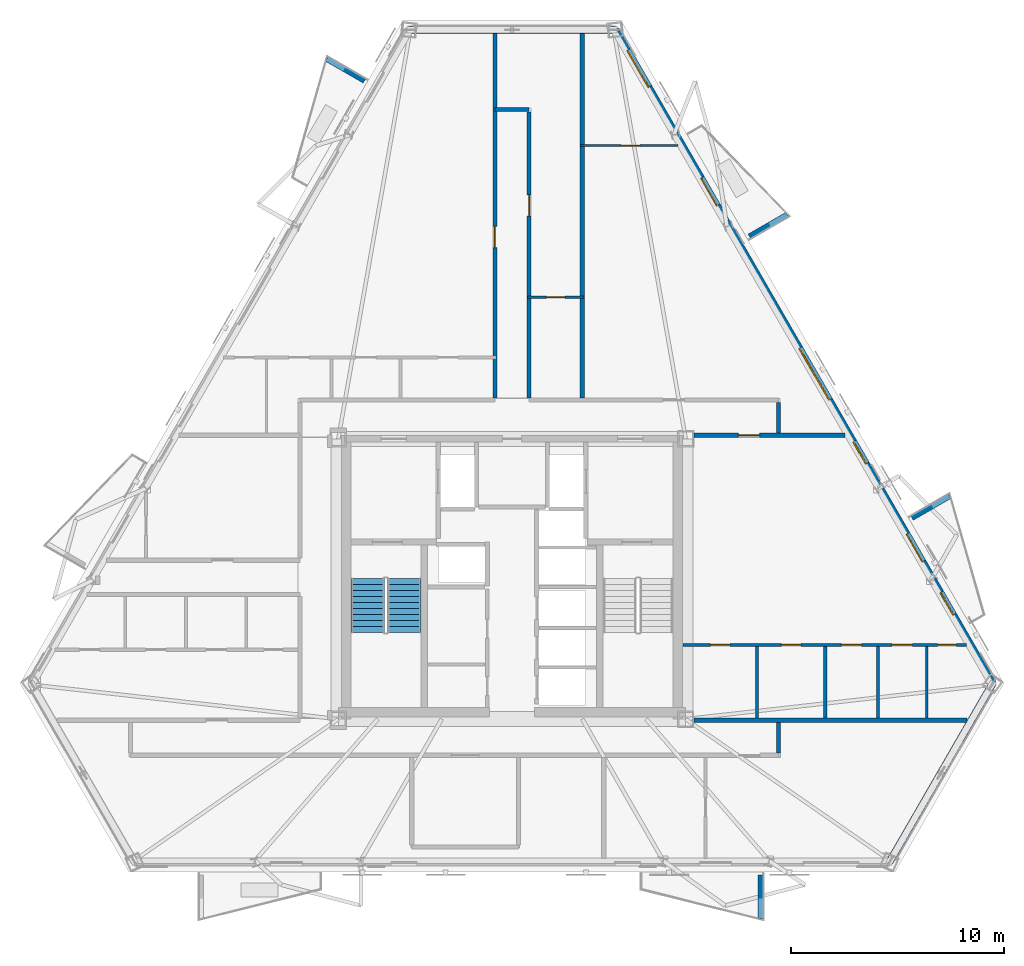
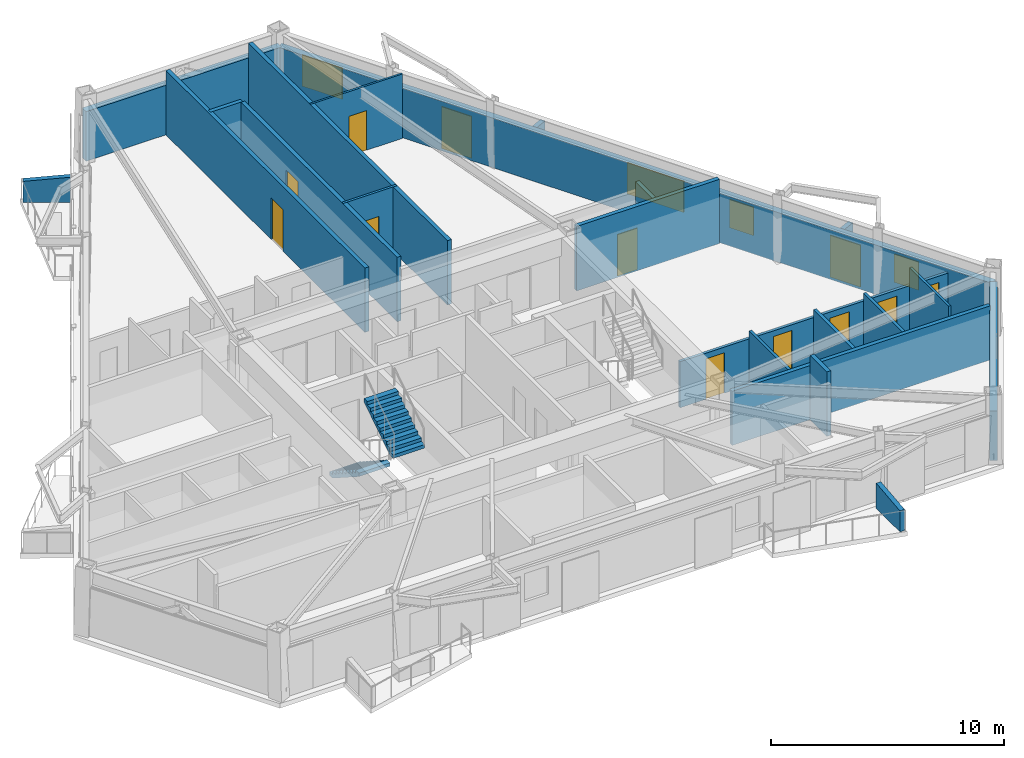
# One storey, part 5 of 9: 22 walls, 12 doors, 4 windows, 2 stair flights, 16 openings, 1 element without a shape of its own.
"""IFC4 building model written with IfcOpenShell, lengths in metres."""

import ifcopenshell
import ifcopenshell.guid

model = None  # the IFC model being written
_history = None  # IfcOwnerHistory: only IFC2X3 demands one
_inside = {}  # id of a spatial element -> (the spatial element, [elements in it])
_under = {}  # id of a project, library or spatial element -> (it, [spatial elements below it])
_declared = {}  # id of a project -> (the project, [libraries it declares])
_typed = {}  # id of a type object -> (the type object, [elements of that type])
_made_of = {}  # id of a material, layer set ... -> (it, [elements and type objects made of it])


def new_model(schema):
    """Start an empty IFC model of exactly this schema.

    Asked for "IFC4X3", IfcOpenShell would pick the latest addendum, in which some entities
    have other attributes; the version numbers below select the first issue.
    IFC2X3 requires an IfcOwnerHistory on every rooted entity: one is made here for all.
    """
    global model, _history
    if schema == "IFC4X3":
        model = ifcopenshell.file(schema_version=(4, 3, 0, 0))
    else:
        model = ifcopenshell.file(schema=schema)
    _inside.clear()
    _under.clear()
    _declared.clear()
    _typed.clear()
    _made_of.clear()
    _history = None
    if model.schema == "IFC2X3":
        org = make("IfcOrganization", Name="unknown")
        user = make(
            "IfcPersonAndOrganization",
            ThePerson=make("IfcPerson", FamilyName="unknown"),
            TheOrganization=org,
        )
        app = make(
            "IfcApplication",
            ApplicationDeveloper=org,
            Version="unknown",
            ApplicationFullName="unknown",
            ApplicationIdentifier="unknown",
        )
        _history = make(
            "IfcOwnerHistory",
            OwningUser=user,
            OwningApplication=app,
            ChangeAction="ADDED",
            CreationDate=0,
        )
    return model


def make(cls, **values):
    """One entity of the class cls with the attributes given. An attribute that is None is left unset."""
    return model.create_entity(
        cls, **{name: value for name, value in values.items() if value is not None}
    )


def rooted(cls, **values):
    """An entity with a GlobalId (a new one), such as an element, a storey or a relation."""
    return make(cls, GlobalId=ifcopenshell.guid.new(), OwnerHistory=_history, **values)


def si_unit(unit_type, name, prefix=None):
    """IfcSIUnit, for example si_unit("LENGTHUNIT", "METRE", prefix="MILLI")."""
    return make("IfcSIUnit", UnitType=unit_type, Prefix=prefix, Name=name)


def assignment(units):
    """IfcUnitAssignment: the units of a project."""
    return None if units is None else make("IfcUnitAssignment", Units=units)


def point(xyz):
    """IfcCartesianPoint."""
    return None if xyz is None else make("IfcCartesianPoint", Coordinates=xyz)


def direction(xyz):
    """IfcDirection."""
    return None if xyz is None else make("IfcDirection", DirectionRatios=xyz)


def frame(location, z_axis=None, x_axis=None):
    """IfcAxis2Placement3D, a coordinate frame: its origin and axes. An axis left out is left unset."""
    return make(
        "IfcAxis2Placement3D",
        Location=point(location),
        Axis=direction(z_axis),
        RefDirection=direction(x_axis),
    )


def frame_2d(location, x_axis=None):
    """IfcAxis2Placement2D, a coordinate frame in the plane: its origin and x axis."""
    return make(
        "IfcAxis2Placement2D", Location=point(location), RefDirection=direction(x_axis)
    )


def origin():
    """The frame at (0, 0, 0) with its axes left unset."""
    return frame((0.0, 0.0, 0.0))


def place(relative_to, where):
    """IfcLocalPlacement: puts the frame where relative to a parent placement (None: the world)."""
    return make(
        "IfcLocalPlacement", PlacementRelTo=relative_to, RelativePlacement=where
    )


def context(
    kind, dimensions, precision=None, world=None, true_north=None, identifier=None
):
    """IfcGeometricRepresentationContext, for example the 3D "Model" context."""
    return make(
        "IfcGeometricRepresentationContext",
        ContextIdentifier=identifier,
        ContextType=kind,
        CoordinateSpaceDimension=dimensions,
        Precision=precision,
        WorldCoordinateSystem=world,
        TrueNorth=true_north,
    )


def subcontext(parent, identifier, kind, view, scale=None):
    """IfcGeometricRepresentationSubContext, for example "Body" below "Model"."""
    return make(
        "IfcGeometricRepresentationSubContext",
        ContextIdentifier=identifier,
        ContextType=kind,
        ParentContext=parent,
        TargetScale=scale,
        TargetView=view,
    )


def project(units=None, contexts=None):
    """IfcProject with its units and contexts."""
    return rooted(
        "IfcProject",
        Name="project",
        RepresentationContexts=contexts,
        UnitsInContext=assignment(units),
    )


def spatial(cls, under=None, at=None, **own):
    """A site, building, storey or space (cls), placed at a placement, below another one or the project."""
    s = rooted(cls, ObjectPlacement=at, **own)
    if under is not None:
        _under.setdefault(under.id(), (under, []))[1].append(s)
    return s


def polyline(points):
    """IfcPolyline through the points."""
    return make("IfcPolyline", Points=[point(p) for p in points])


def profile(cls, at=None, kind="AREA", **sizes):
    """A parametric profile (cls). Its sizes go by their IFC names, for example OverallWidth=200.0."""
    return make(cls, ProfileType=kind, Position=at, **sizes)


def rectangle(**sizes):
    """IfcRectangleProfileDef."""
    return profile("IfcRectangleProfileDef", **sizes)


def outline(outer, holes=None, kind="AREA"):
    """IfcArbitraryClosedProfileDef: a profile drawn as a closed curve; with holes, ...WithVoids."""
    if holes is None:
        return make("IfcArbitraryClosedProfileDef", ProfileType=kind, OuterCurve=outer)
    return make(
        "IfcArbitraryProfileDefWithVoids",
        ProfileType=kind,
        OuterCurve=outer,
        InnerCurves=holes,
    )


def extrude(swept, where, along, depth):
    """IfcExtrudedAreaSolid: the profile swept, set in the frame where, extruded along a direction by depth."""
    return make(
        "IfcExtrudedAreaSolid",
        SweptArea=swept,
        Position=where,
        ExtrudedDirection=direction(along),
        Depth=depth,
    )


def shape(context_of_items, identifier, shape_type, items):
    """IfcShapeRepresentation: the items that make up one representation, for example the "Body"."""
    return make(
        "IfcShapeRepresentation",
        ContextOfItems=context_of_items,
        RepresentationIdentifier=identifier,
        RepresentationType=shape_type,
        Items=items,
    )


def material(Name=None, Category=None):
    """IfcMaterial."""
    return make("IfcMaterial", Name=Name, Category=Category)


def layer(
    of_material, thickness, ventilated=None, Name=None, Category=None, Priority=None
):
    """IfcMaterialLayer: one layer of a wall or slab, of a material (None: an air gap)."""
    return make(
        "IfcMaterialLayer",
        Material=of_material,
        LayerThickness=thickness,
        IsVentilated=ventilated,
        Name=Name,
        Category=Category,
        Priority=Priority,
    )


def layer_set(layers, Name=None):
    """IfcMaterialLayerSet."""
    return make("IfcMaterialLayerSet", MaterialLayers=layers, LayerSetName=Name)


def made_of(thing, what):
    """Note that an element or type object is made of a material, layer set ...; save() writes the relation."""
    if what is not None:
        _made_of.setdefault(what.id(), (what, []))[1].append(thing)
    return thing


def type_object(cls, material=None, **own):
    """A type object (cls), such as IfcWallType, which elements share."""
    return made_of(rooted(cls, **own), material)


def element(
    cls,
    number,
    at=None,
    inside=None,
    cuts=None,
    type_object=None,
    material=None,
    context=None,
    identifier="Body",
    shape_type=None,
    held_by="IfcProductDefinitionShape",
    body=None,
    shapes=None,
    **own,
):
    """One element of the class cls, such as IfcWall. Its Tag is "e" and its number.

    at: its placement. inside: the storey or other place that contains it. cuts: it is an
    opening in that element (IfcRelVoidsElement). A single representation is given by context,
    identifier, shape_type and body (its items); several are given by shapes. held_by: the class
    of the entity that holds the representations. save() writes the other relations.
    """
    e = rooted(cls, Tag="e%d" % number, ObjectPlacement=at, **own)
    if body is not None:
        shapes = [shape(context, identifier, shape_type, body)]
    if shapes is not None:
        e.Representation = make(held_by, Representations=shapes)
    if inside is not None:
        _inside.setdefault(inside.id(), (inside, []))[1].append(e)
    if cuts is not None:
        rooted(
            "IfcRelVoidsElement", RelatingBuildingElement=cuts, RelatedOpeningElement=e
        )
    if type_object is not None:
        _typed.setdefault(type_object.id(), (type_object, []))[1].append(e)
    return made_of(e, material)


def fill(opening, filler):
    """IfcRelFillsElement: the door or window that sits in an opening."""
    return rooted(
        "IfcRelFillsElement",
        RelatingOpeningElement=opening,
        RelatedBuildingElement=filler,
    )


def aggregate(whole, parts):
    """IfcRelAggregates: a whole, such as a stair, and the parts it consists of."""
    return rooted("IfcRelAggregates", RelatingObject=whole, RelatedObjects=parts)


def save(model, path):
    """Write the relations noted so far, then the file.

    IfcRelAggregates (storeys below a building ...), IfcRelContainedInSpatialStructure (elements
    in a storey), IfcRelDefinesByType, IfcRelAssociatesMaterial and IfcRelDeclares: one each for
    every whole, place, type object, material and project.
    """
    for whole, parts in _under.values():
        aggregate(whole, parts)
    for where, things in _inside.values():
        rooted(
            "IfcRelContainedInSpatialStructure",
            RelatedElements=things,
            RelatingStructure=where,
        )
    for kind, things in _typed.values():
        rooted("IfcRelDefinesByType", RelatedObjects=things, RelatingType=kind)
    for what, things in _made_of.values():
        rooted("IfcRelAssociatesMaterial", RelatedObjects=things, RelatingMaterial=what)
    for by, libraries in _declared.values():
        rooted("IfcRelDeclares", RelatingContext=by, RelatedDefinitions=libraries)
    model.write(path)


model = new_model("IFC4")

# Units and contexts
model_context = context("Model", 3, precision=1e-05, world=origin(), true_north=direction((0.0, 1.0)))
body_context = subcontext(model_context, "Body", "Model", "MODEL_VIEW")
ifc_project = project(units=[si_unit("LENGTHUNIT", "METRE"), si_unit("AREAUNIT", "SQUARE_METRE"), si_unit("VOLUMEUNIT", "CUBIC_METRE"), si_unit("PLANEANGLEUNIT", "RADIAN"), si_unit("MASSUNIT", "GRAM", prefix="KILO")], contexts=[model_context])

# Site, building, storey
site_placement = place(None, origin())
site = spatial("IfcSite", under=ifc_project, at=site_placement, CompositionType="ELEMENT")
building_placement = place(site_placement, origin())
building = spatial("IfcBuilding", under=site, at=building_placement, Name="Oramaril Tower", CompositionType="ELEMENT")
storey_placement = place(building_placement, frame((0.0, 0.0, 145.800048828125)))
storey = spatial("IfcBuildingStorey", under=building, at=storey_placement, Name="L38", CompositionType="ELEMENT", Elevation=145.800048828125)

# Wall
ifc_material_1 = material(Name="Warm Cream Limestone", Category="masonry")
ifc_layer_1 = layer(ifc_material_1, 0.340087890625)
ifc_layer_set_1 = layer_set([ifc_layer_1], Name="WT-EXT34")
wall_type_1 = type_object("IfcWallType", Name="WT-EXT34", PredefinedType="SOLIDWALL", material=ifc_layer_set_1)
wall_1_placement = place(storey_placement, frame((55.20166015625, 4.27880859375, 0.0), z_axis=(0.0, 0.0, 1.0), x_axis=(0.500012177251, 0.866018373131, 0.0)))
element("IfcWall", 1, at=wall_1_placement, inside=storey, type_object=wall_type_1, Name="L38 Tower Limestone Facade Wall 3M", PredefinedType="SOLIDWALL", context=body_context, shape_type="SweptSolid", body=[
    extrude(rectangle(XDim=9.701416015625, YDim=0.340087890625, at=frame_2d((4.8505859375, 0.0))), origin(), (0.0, 0.0, 1.0), 2.599853515625),
])

# Wall, openings, doors, windows
wall_2_placement = place(storey_placement, frame((60.052490234375, 12.680419921875, 0.0), z_axis=(0.0, 0.0, 1.0), x_axis=(-0.500002412417, 0.86602401097, 0.0)))
wall_2 = element("IfcWall", 2, at=wall_2_placement, inside=storey, type_object=wall_type_1, Name="L38 Tower Limestone Facade Wall 4M", PredefinedType="SOLIDWALL", context=body_context, shape_type="SweptSolid", body=[
    extrude(rectangle(XDim=35.403564453125, YDim=0.340087890625, at=frame_2d((17.70166015625, 0.0))), origin(), (0.0, 0.0, 1.0), 2.599853515625),
])
opening_1_placement = place(wall_2_placement, frame((6.579345703125, 0.0, 0.0)))
opening_1 = element("IfcOpeningElement", 3, at=opening_1_placement, cuts=wall_2, Name="Opening D-L38-BAL-NE1", PredefinedType="OPENING", context=body_context, shape_type="SweptSolid", body=[
    extrude(rectangle(XDim=1.5, YDim=2.199951171875, at=frame_2d((0.75, 1.10009765625))), frame((0.0, 0.169921875, 0.0), z_axis=(0.0, -1.0, 0.0), x_axis=(1.0, 0.0, 0.0)), (0.0, 0.0, 1.0), 0.340087890625),
])
opening_2_placement = place(wall_2_placement, frame((25.869140625, 0.0, 0.0)))
opening_2 = element("IfcOpeningElement", 4, at=opening_2_placement, cuts=wall_2, Name="Opening D-L38-BAL-NE2", PredefinedType="OPENING", context=body_context, shape_type="SweptSolid", body=[
    extrude(rectangle(XDim=1.5, YDim=2.199951171875, at=frame_2d((0.75, 1.10009765625))), frame((0.0, 0.169921875, 0.0), z_axis=(0.0, -1.0, 0.0), x_axis=(1.0, 0.0, 0.0)), (0.0, 0.0, 1.0), 0.340087890625),
])
opening_3_placement = place(wall_2_placement, frame((3.701904296875, 0.0, 0.85009765625)))
opening_3 = element("IfcOpeningElement", 5, at=opening_3_placement, cuts=wall_2, Name="Opening WN-09", PredefinedType="OPENING", context=body_context, shape_type="SweptSolid", body=[
    extrude(rectangle(XDim=1.199951171875, YDim=1.47998046875, at=frame_2d((0.60009765625, 0.739990234375))), frame((0.0, 0.169921875, 0.0), z_axis=(0.0, -1.0, 0.0), x_axis=(1.0, 0.0, 0.0)), (0.0, 0.0, 1.0), 0.340087890625),
])
opening_4_placement = place(wall_2_placement, frame((11.88037109375, 0.0, 0.85009765625)))
opening_4 = element("IfcOpeningElement", 6, at=opening_4_placement, cuts=wall_2, Name="Opening WN-09", PredefinedType="OPENING", context=body_context, shape_type="SweptSolid", body=[
    extrude(rectangle(XDim=1.199951171875, YDim=1.47998046875, at=frame_2d((0.60009765625, 0.739990234375))), frame((0.0, 0.169921875, 0.0), z_axis=(0.0, -1.0, 0.0), x_axis=(1.0, 0.0, 0.0)), (0.0, 0.0, 1.0), 0.340087890625),
])
opening_5_placement = place(wall_2_placement, frame((15.345947265625, 0.0, 0.85009765625)))
opening_5 = element("IfcOpeningElement", 7, at=opening_5_placement, cuts=wall_2, Name="Opening WN-01", PredefinedType="OPENING", context=body_context, shape_type="SweptSolid", body=[
    extrude(rectangle(XDim=2.800048828125, YDim=1.639892578125, at=frame_2d((1.39990234375, 0.81982421875))), frame((0.0, 0.169921875, 0.0), z_axis=(0.0, -1.0, 0.0), x_axis=(1.0, 0.0, 0.0)), (0.0, 0.0, 1.0), 0.340087890625),
])
opening_6_placement = place(wall_2_placement, frame((32.288330078125, 0.0, 0.85009765625)))
opening_6 = element("IfcOpeningElement", 8, at=opening_6_placement, cuts=wall_2, Name="Opening WN-05", PredefinedType="OPENING", context=body_context, shape_type="SweptSolid", body=[
    extrude(rectangle(XDim=2.0, YDim=1.639892578125, at=frame_2d((1.0, 0.81982421875))), frame((0.0, 0.169921875, 0.0), z_axis=(0.0, -1.0, 0.0), x_axis=(1.0, 0.0, 0.0)), (0.0, 0.0, 1.0), 0.340087890625),
])
ifc_material_2 = material(Name="Anodised Aluminium 6063-T6", Category="aluminium")
door_type_1 = type_object("IfcDoorType", Name="DT-BAL", OperationType="NOTDEFINED", PredefinedType="DOOR", material=ifc_material_2)
door_1_placement = place(opening_1_placement, origin())
door_1 = element("IfcDoor", 9, at=door_1_placement, inside=storey, type_object=door_type_1, Name="L38 Balcony Glazed Door L38-BAL-NE1", OperationType="SINGLE_SWING_LEFT", OverallHeight=2.199951171875, OverallWidth=1.5, PredefinedType="DOOR", context=body_context, shape_type="SweptSolid", body=[
    extrude(rectangle(XDim=1.5, YDim=2.199951171875, at=frame_2d((0.75, 1.10009765625))), frame((0.0, 0.02490234375, 0.0), z_axis=(0.0, -1.0, 0.0), x_axis=(1.0, 0.0, 0.0)), (0.0, 0.0, 1.0), 0.050048828125),
])
fill(opening_1, door_1)
door_2_placement = place(opening_2_placement, origin())
door_2 = element("IfcDoor", 10, at=door_2_placement, inside=storey, type_object=door_type_1, Name="L38 Balcony Glazed Door L38-BAL-NE2", OperationType="SINGLE_SWING_RIGHT", OverallHeight=2.199951171875, OverallWidth=1.5, PredefinedType="DOOR", context=body_context, shape_type="SweptSolid", body=[
    extrude(rectangle(XDim=1.5, YDim=2.199951171875, at=frame_2d((0.75, 1.10009765625))), frame((0.0, 0.02490234375, 0.0), z_axis=(0.0, -1.0, 0.0), x_axis=(1.0, 0.0, 0.0)), (0.0, 0.0, 1.0), 0.050048828125),
])
fill(opening_2, door_2)
ifc_material_3 = material(Name="Coastal Low-E Insulated Glass", Category="glass")
window_type_1 = type_object("IfcWindowType", Name="WNT-01", PartitioningType="SINGLE_PANEL", PredefinedType="WINDOW", material=ifc_material_3)
window_1_placement = place(opening_5_placement, origin())
window_1 = element("IfcWindow", 11, at=window_1_placement, inside=storey, type_object=window_type_1, Name="L38 Chicago Bay Window WN-01", OverallHeight=1.639892578125, OverallWidth=2.800048828125, PartitioningType="SINGLE_PANEL", PredefinedType="WINDOW", context=body_context, shape_type="SweptSolid", body=[
    extrude(rectangle(XDim=2.800048828125, YDim=1.639892578125, at=frame_2d((1.39990234375, 0.81982421875))), frame((0.0, 0.030029296875, 0.0), z_axis=(0.0, -1.0, 0.0), x_axis=(1.0, 0.0, 0.0)), (0.0, 0.0, 1.0), 0.06005859375),
])
fill(opening_5, window_1)
ifc_material_4 = material(Name="Coastal Low-E Insulated Glass", Category="glass")
window_type_2 = type_object("IfcWindowType", Name="WNT-05", PartitioningType="SINGLE_PANEL", PredefinedType="WINDOW", material=ifc_material_4)
window_2_placement = place(opening_6_placement, origin())
window_2 = element("IfcWindow", 12, at=window_2_placement, inside=storey, type_object=window_type_2, Name="L38 Chicago Bay Window WN-05", OverallHeight=1.639892578125, OverallWidth=2.0, PartitioningType="SINGLE_PANEL", PredefinedType="WINDOW", context=body_context, shape_type="SweptSolid", body=[
    extrude(rectangle(XDim=2.0, YDim=1.639892578125, at=frame_2d((1.0, 0.81982421875))), frame((0.0, 0.030029296875, 0.0), z_axis=(0.0, -1.0, 0.0), x_axis=(1.0, 0.0, 0.0)), (0.0, 0.0, 1.0), 0.06005859375),
])
fill(opening_6, window_2)
ifc_material_5 = material(Name="Coastal Low-E Insulated Glass", Category="glass")
window_type_3 = type_object("IfcWindowType", Name="WNT-09", PartitioningType="SINGLE_PANEL", PredefinedType="WINDOW", material=ifc_material_5)
window_3_placement = place(opening_3_placement, origin())
window_3 = element("IfcWindow", 13, at=window_3_placement, inside=storey, type_object=window_type_3, Name="L38 Chicago Bay Window WN-09", OverallHeight=1.47998046875, OverallWidth=1.199951171875, PartitioningType="SINGLE_PANEL", PredefinedType="WINDOW", context=body_context, shape_type="SweptSolid", body=[
    extrude(rectangle(XDim=1.199951171875, YDim=1.47998046875, at=frame_2d((0.60009765625, 0.739990234375))), frame((0.0, 0.030029296875, 0.0), z_axis=(0.0, -1.0, 0.0), x_axis=(1.0, 0.0, 0.0)), (0.0, 0.0, 1.0), 0.06005859375),
])
fill(opening_3, window_3)
window_4_placement = place(opening_4_placement, origin())
window_4 = element("IfcWindow", 14, at=window_4_placement, inside=storey, type_object=window_type_3, Name="L38 Chicago Bay Window WN-09", OverallHeight=1.47998046875, OverallWidth=1.199951171875, PartitioningType="SINGLE_PANEL", PredefinedType="WINDOW", context=body_context, shape_type="SweptSolid", body=[
    extrude(rectangle(XDim=1.199951171875, YDim=1.47998046875, at=frame_2d((0.60009765625, 0.739990234375))), frame((0.0, 0.030029296875, 0.0), z_axis=(0.0, -1.0, 0.0), x_axis=(1.0, 0.0, 0.0)), (0.0, 0.0, 1.0), 0.06005859375),
])
fill(opening_4, window_4)

# Walls
wall_3_placement = place(storey_placement, frame((42.3505859375, 43.3408203125, 0.0), z_axis=(0.0, 0.0, 1.0), x_axis=(-1.0, 0.0, 0.0)))
element("IfcWall", 15, at=wall_3_placement, inside=storey, type_object=wall_type_1, Name="L38 Tower Limestone Facade Wall 5M", PredefinedType="SOLIDWALL", context=body_context, shape_type="SweptSolid", body=[
    extrude(rectangle(XDim=9.701171875, YDim=0.340087890625, at=frame_2d((4.8505859375, 0.0))), origin(), (0.0, 0.0, 1.0), 2.599853515625),
])
ifc_material_6 = material(Name="Concrete C40/50", Category="concrete")
ifc_layer_2 = layer(ifc_material_6, 0.22998046875)
ifc_layer_set_2 = layer_set([ifc_layer_2], Name="WT-PRP23")
wall_type_2 = type_object("IfcWallType", Name="WT-PRP23", PredefinedType="PARAPET", material=ifc_layer_set_2)
for number, where, z_axis, x_axis, name in (
    (16, (49.162353515625, 3.680908203125, 0.0), (0.0, 0.0, 1.0), (0.0, -1.0, 0.0), "L38 Trapezoidal Balcony Frame Cheek L38-BAL-S2-R"),
    (17, (56.26806640625, 20.430908203125, 0.0), (0.0, 0.0, 1.0), (0.866042246008, 0.499970827278, 0.0), "L38 Trapezoidal Balcony Frame Cheek L38-BAL-NE1-R"),
    (18, (48.63330078125, 33.655029296875, 0.0), (0.0, 0.0, 1.0), (0.866012356593, 0.500022597718, 0.0), "L38 Trapezoidal Balcony Frame Cheek L38-BAL-NE2-L"),
    (19, (30.57421875, 40.942626953125, 0.0), (0.0, 0.0, 1.0), (-0.866012356593, 0.500022597718, 0.0), "L38 Trapezoidal Balcony Frame Cheek L38-BAL-NW1-L"),
):
    element("IfcWall", number, at=place(storey_placement, frame(where, z_axis=z_axis, x_axis=x_axis)), inside=storey, type_object=wall_type_2, Name=name, PredefinedType="PARAPET", context=body_context, shape_type="SweptSolid", body=[
        extrude(outline(polyline([(0.0, 0.0), (2.0419921875, 0.0), (2.0419921875, 1.099853515625), (0.0, 1.320068359375), (0.0, 0.0)])), frame((0.0, 0.114990234375, 0.0), z_axis=(0.0, -1.0, 0.0), x_axis=(1.0, 0.0, 0.0)), (0.0, 0.0, 1.0), 0.22998046875),
    ])

# Wall, opening, door
ifc_material_7 = material(Name="Acoustic Gypsum Board Partition")
ifc_layer_3 = layer(ifc_material_7, 0.10009765625)
ifc_layer_set_3 = layer_set([ifc_layer_3], Name="WT-PT10")
wall_type_3 = type_object("IfcWallType", Name="WT-PT10", PredefinedType="PARTITIONING", material=ifc_layer_set_3)
wall_4_placement = place(storey_placement, frame((40.718017578125, 37.909912109375, 0.0), z_axis=(0.0, 0.0, 1.0), x_axis=(1.0, 0.0, 0.0)))
wall_4 = element("IfcWall", 20, at=wall_4_placement, inside=storey, type_object=wall_type_3, Name="L38 Interior Partition PT-10", PredefinedType="PARTITIONING", context=body_context, shape_type="SweptSolid", body=[
    extrude(rectangle(XDim=4.567138671875, YDim=0.10009765625, at=frame_2d((2.28369140625, 0.0))), origin(), (0.0, 0.0, 1.0), 3.3798828125),
])
opening_7_placement = place(wall_4_placement, frame((1.900146484375, 0.0, 0.0)))
opening_7 = element("IfcOpeningElement", 21, at=opening_7_placement, cuts=wall_4, Name="Opening D-L38-21", PredefinedType="OPENING", context=body_context, shape_type="SweptSolid", body=[
    extrude(rectangle(XDim=0.8798828125, YDim=2.080078125, at=frame_2d((0.43994140625, 1.0400390625))), frame((0.0, 0.050048828125, 0.0), z_axis=(0.0, -1.0, 0.0), x_axis=(1.0, 0.0, 0.0)), (0.0, 0.0, 1.0), 0.10009765625),
])
ifc_material_8 = material(Name="FSC Brazilian Freijo Hardwood", Category="wood")
door_type_2 = type_object("IfcDoorType", Name="DT-BATH", OperationType="NOTDEFINED", PredefinedType="DOOR", material=ifc_material_8)
door_3_placement = place(opening_7_placement, origin())
door_3 = element("IfcDoor", 22, at=door_3_placement, inside=storey, type_object=door_type_2, Name="L38 Flat L38-U8 Bathroom Door D-L38-21", OperationType="SINGLE_SWING_LEFT", OverallHeight=2.080078125, OverallWidth=0.8798828125, PredefinedType="DOOR", context=body_context, shape_type="SweptSolid", body=[
    extrude(rectangle(XDim=0.8798828125, YDim=2.080078125, at=frame_2d((0.43994140625, 1.0400390625))), frame((0.0, 0.02490234375, 0.0), z_axis=(0.0, -1.0, 0.0), x_axis=(1.0, 0.0, 0.0)), (0.0, 0.0, 1.0), 0.050048828125),
])
fill(opening_7, door_3)

ifc_material_9 = material(Name="Acoustic Gypsum Board Partition")
ifc_layer_4 = layer(ifc_material_9, 0.1201171875)
ifc_layer_set_4 = layer_set([ifc_layer_4], Name="WT-PT12")
wall_type_4 = type_object("IfcWallType", Name="WT-PT12", PredefinedType="PARTITIONING", material=ifc_layer_set_4)
wall_5_placement = place(storey_placement, frame((38.218017578125, 30.7900390625, 0.0), z_axis=(0.0, 0.0, 1.0), x_axis=(1.0, 0.0, 0.0)))
wall_5 = element("IfcWall", 23, at=wall_5_placement, inside=storey, type_object=wall_type_4, Name="L38 Interior Partition PT-12", PredefinedType="PARTITIONING", context=body_context, shape_type="SweptSolid", body=[
    extrude(rectangle(XDim=2.6640625, YDim=0.1201171875, at=frame_2d((1.33203125, 0.0))), origin(), (0.0, 0.0, 1.0), 3.3798828125),
])
opening_8_placement = place(wall_5_placement, frame((0.89208984375, 0.0, 0.0)))
opening_8 = element("IfcOpeningElement", 24, at=opening_8_placement, cuts=wall_5, Name="Opening D-L38-20", PredefinedType="OPENING", context=body_context, shape_type="SweptSolid", body=[
    extrude(rectangle(XDim=0.8798828125, YDim=2.080078125, at=frame_2d((0.43994140625, 1.0400390625))), frame((0.0, 0.06005859375, 0.0), z_axis=(0.0, -1.0, 0.0), x_axis=(1.0, 0.0, 0.0)), (0.0, 0.0, 1.0), 0.1201171875),
])
door_4_placement = place(opening_8_placement, origin())
door_4 = element("IfcDoor", 25, at=door_4_placement, inside=storey, type_object=door_type_2, Name="L38 Flat L38-U7 Bathroom Door D-L38-20", OperationType="SINGLE_SWING_RIGHT", OverallHeight=2.080078125, OverallWidth=0.8798828125, PredefinedType="DOOR", context=body_context, shape_type="SweptSolid", body=[
    extrude(rectangle(XDim=0.8798828125, YDim=2.080078125, at=frame_2d((0.43994140625, 1.0400390625))), frame((0.0, 0.02490234375, 0.0), z_axis=(0.0, -1.0, 0.0), x_axis=(1.0, 0.0, 0.0)), (0.0, 0.0, 1.0), 0.050048828125),
])
fill(opening_8, door_4)

# Wall
wall_6_placement = place(storey_placement, frame((56.949951171875, 11.053955078125, 0.0), z_axis=(0.0, 0.0, 1.0), x_axis=(0.0, 1.0, 0.0)))
element("IfcWall", 26, at=wall_6_placement, inside=storey, type_object=wall_type_4, Name="L38 Interior Partition PT-12", PredefinedType="PARTITIONING", context=body_context, shape_type="SweptSolid", body=[
    extrude(rectangle(XDim=3.35205078125, YDim=0.1201171875, at=frame_2d((1.676025390625, 0.0))), origin(), (0.0, 0.0, 1.0), 3.3798828125),
])

# Wall, openings, doors
ifc_material_10 = material(Name="Acoustic Gypsum Board Partition")
ifc_layer_5 = layer(ifc_material_10, 0.139892578125)
ifc_layer_set_5 = layer_set([ifc_layer_5], Name="WT-PT14")
wall_type_5 = type_object("IfcWallType", Name="WT-PT14", PredefinedType="PARTITIONING", material=ifc_layer_set_5)
wall_7_placement = place(storey_placement, frame((45.513916015625, 14.47998046875, 0.0), z_axis=(0.0, 0.0, 1.0), x_axis=(1.0, 0.0, 0.0)))
wall_7 = element("IfcWall", 27, at=wall_7_placement, inside=storey, type_object=wall_type_5, Name="L38 Interior Partition PT-14", PredefinedType="PARTITIONING", context=body_context, shape_type="SweptSolid", body=[
    extrude(rectangle(XDim=13.298583984375, YDim=0.139892578125, at=frame_2d((6.6494140625, 0.0))), origin(), (0.0, 0.0, 1.0), 2.419921875),
])
opening_9_placement = place(wall_7_placement, frame((1.292236328125, 0.0, 0.0)))
opening_9 = element("IfcOpeningElement", 28, at=opening_9_placement, cuts=wall_7, Name="Opening D-L38-08", PredefinedType="OPENING", context=body_context, shape_type="SweptSolid", body=[
    extrude(rectangle(XDim=0.919921875, YDim=2.1201171875, at=frame_2d((0.4599609375, 1.06005859375))), frame((0.0, 0.06982421875, 0.0), z_axis=(0.0, -1.0, 0.0), x_axis=(1.0, 0.0, 0.0)), (0.0, 0.0, 1.0), 0.139892578125),
])
opening_10_placement = place(wall_7_placement, frame((4.627685546875, 0.0, 0.0)))
opening_10 = element("IfcOpeningElement", 29, at=opening_10_placement, cuts=wall_7, Name="Opening D-L38-09", PredefinedType="OPENING", context=body_context, shape_type="SweptSolid", body=[
    extrude(rectangle(XDim=0.919921875, YDim=2.1201171875, at=frame_2d((0.4599609375, 1.06005859375))), frame((0.0, 0.06982421875, 0.0), z_axis=(0.0, -1.0, 0.0), x_axis=(1.0, 0.0, 0.0)), (0.0, 0.0, 1.0), 0.139892578125),
])
opening_11_placement = place(wall_7_placement, frame((7.4453125, 0.0, 0.0)))
opening_11 = element("IfcOpeningElement", 30, at=opening_11_placement, cuts=wall_7, Name="Opening D-L38-10", PredefinedType="OPENING", context=body_context, shape_type="SweptSolid", body=[
    extrude(rectangle(XDim=0.949951171875, YDim=2.10009765625, at=frame_2d((0.47509765625, 1.050048828125))), frame((0.0, 0.06982421875, 0.0), z_axis=(0.0, -1.0, 0.0), x_axis=(1.0, 0.0, 0.0)), (0.0, 0.0, 1.0), 0.139892578125),
])
opening_12_placement = place(wall_7_placement, frame((9.820068359375, 0.0, 0.0)))
opening_12 = element("IfcOpeningElement", 31, at=opening_12_placement, cuts=wall_7, Name="Opening D-L38-11", PredefinedType="OPENING", context=body_context, shape_type="SweptSolid", body=[
    extrude(rectangle(XDim=0.949951171875, YDim=2.10009765625, at=frame_2d((0.47509765625, 1.050048828125))), frame((0.0, 0.06982421875, 0.0), z_axis=(0.0, -1.0, 0.0), x_axis=(1.0, 0.0, 0.0)), (0.0, 0.0, 1.0), 0.139892578125),
])
opening_13_placement = place(wall_7_placement, frame((11.956298828125, 0.0, 0.0)))
opening_13 = element("IfcOpeningElement", 32, at=opening_13_placement, cuts=wall_7, Name="Opening D-L38-12", PredefinedType="OPENING", context=body_context, shape_type="SweptSolid", body=[
    extrude(rectangle(XDim=0.8798828125, YDim=2.080078125, at=frame_2d((0.43994140625, 1.0400390625))), frame((0.0, 0.06982421875, 0.0), z_axis=(0.0, -1.0, 0.0), x_axis=(1.0, 0.0, 0.0)), (0.0, 0.0, 1.0), 0.139892578125),
])
door_5_placement = place(opening_13_placement, origin())
door_5 = element("IfcDoor", 33, at=door_5_placement, inside=storey, type_object=door_type_2, Name="L38 Flat L38-U5 Bathroom Door D-L38-12", OperationType="SINGLE_SWING_RIGHT", OverallHeight=2.080078125, OverallWidth=0.8798828125, PredefinedType="DOOR", context=body_context, shape_type="SweptSolid", body=[
    extrude(rectangle(XDim=0.8798828125, YDim=2.080078125, at=frame_2d((0.43994140625, 1.0400390625))), frame((0.0, 0.02490234375, 0.0), z_axis=(0.0, -1.0, 0.0), x_axis=(1.0, 0.0, 0.0)), (0.0, 0.0, 1.0), 0.050048828125),
])
fill(opening_13, door_5)
ifc_material_11 = material(Name="FSC Brazilian Freijo Hardwood", Category="wood")
door_type_3 = type_object("IfcDoorType", Name="DT-BED", OperationType="NOTDEFINED", PredefinedType="DOOR", material=ifc_material_11)
door_6_placement = place(opening_9_placement, origin())
door_6 = element("IfcDoor", 34, at=door_6_placement, inside=storey, type_object=door_type_3, Name="L38 Flat L38-U5 Master Bedroom Door D-L38-08", OperationType="SINGLE_SWING_RIGHT", OverallHeight=2.1201171875, OverallWidth=0.919921875, PredefinedType="DOOR", context=body_context, shape_type="SweptSolid", body=[
    extrude(rectangle(XDim=0.919921875, YDim=2.1201171875, at=frame_2d((0.4599609375, 1.06005859375))), frame((0.0, 0.02490234375, 0.0), z_axis=(0.0, -1.0, 0.0), x_axis=(1.0, 0.0, 0.0)), (0.0, 0.0, 1.0), 0.050048828125),
])
fill(opening_9, door_6)
door_7_placement = place(opening_10_placement, origin())
door_7 = element("IfcDoor", 35, at=door_7_placement, inside=storey, type_object=door_type_3, Name="L38 Flat L38-U5 Bedroom 2 Door D-L38-09", OperationType="SINGLE_SWING_LEFT", OverallHeight=2.1201171875, OverallWidth=0.919921875, PredefinedType="DOOR", context=body_context, shape_type="SweptSolid", body=[
    extrude(rectangle(XDim=0.919921875, YDim=2.1201171875, at=frame_2d((0.4599609375, 1.06005859375))), frame((0.0, 0.02490234375, 0.0), z_axis=(0.0, -1.0, 0.0), x_axis=(1.0, 0.0, 0.0)), (0.0, 0.0, 1.0), 0.050048828125),
])
fill(opening_10, door_7)
ifc_material_12 = material(Name="FSC Brazilian Freijo Hardwood", Category="wood")
door_type_4 = type_object("IfcDoorType", Name="DT-STDY", OperationType="NOTDEFINED", PredefinedType="DOOR", material=ifc_material_12)
door_8_placement = place(opening_11_placement, origin())
door_8 = element("IfcDoor", 36, at=door_8_placement, inside=storey, type_object=door_type_4, Name="L38 Flat L38-U5 Breakfast Dining Room Door D-L38-10", OperationType="SINGLE_SWING_RIGHT", OverallHeight=2.10009765625, OverallWidth=0.949951171875, PredefinedType="DOOR", context=body_context, shape_type="SweptSolid", body=[
    extrude(rectangle(XDim=0.949951171875, YDim=2.10009765625, at=frame_2d((0.47509765625, 1.050048828125))), frame((0.0, 0.02490234375, 0.0), z_axis=(0.0, -1.0, 0.0), x_axis=(1.0, 0.0, 0.0)), (0.0, 0.0, 1.0), 0.050048828125),
])
fill(opening_11, door_8)
door_9_placement = place(opening_12_placement, origin())
door_9 = element("IfcDoor", 37, at=door_9_placement, inside=storey, type_object=door_type_4, Name="L38 Flat L38-U5 Kitchen Door D-L38-11", OperationType="SINGLE_SWING_LEFT", OverallHeight=2.10009765625, OverallWidth=0.949951171875, PredefinedType="DOOR", context=body_context, shape_type="SweptSolid", body=[
    extrude(rectangle(XDim=0.949951171875, YDim=2.10009765625, at=frame_2d((0.47509765625, 1.050048828125))), frame((0.0, 0.02490234375, 0.0), z_axis=(0.0, -1.0, 0.0), x_axis=(1.0, 0.0, 0.0)), (0.0, 0.0, 1.0), 0.050048828125),
])
fill(opening_12, door_9)

# Walls
for number, where, z_axis, x_axis, name in (
    (38, (49.0, 11.053955078125, 0.0), (0.0, 0.0, 1.0), (0.0, 1.0, 0.0), "L38 Interior Partition PT-14"),
    (39, (54.669921875, 11.053955078125, 0.0), (0.0, 0.0, 1.0), (0.0, 1.0, 0.0), "L38 Interior Partition PT-14"),
):
    element("IfcWall", number, at=place(storey_placement, frame(where, z_axis=z_axis, x_axis=x_axis)), inside=storey, type_object=wall_type_5, Name=name, PredefinedType="PARTITIONING", context=body_context, shape_type="SweptSolid", body=[
        extrude(rectangle(XDim=3.35205078125, YDim=0.139892578125, at=frame_2d((1.676025390625, 0.0))), origin(), (0.0, 0.0, 1.0), 2.842041015625),
    ])
ifc_material_13 = material(Name="Acoustic Gypsum Board Partition")
ifc_layer_6 = layer(ifc_material_13, 0.159912109375)
ifc_layer_set_6 = layer_set([ifc_layer_6], Name="WT-PT16")
wall_type_6 = type_object("IfcWallType", Name="WT-PT16", PredefinedType="PARTITIONING", material=ifc_layer_set_6)
wall_8_placement = place(storey_placement, frame((52.199951171875, 11.053955078125, 0.0), z_axis=(0.0, 0.0, 1.0), x_axis=(0.0, 1.0, 0.0)))
element("IfcWall", 40, at=wall_8_placement, inside=storey, type_object=wall_type_6, Name="L38 Interior Partition PT-16", PredefinedType="PARTITIONING", context=body_context, shape_type="SweptSolid", body=[
    extrude(rectangle(XDim=3.35205078125, YDim=0.159912109375, at=frame_2d((1.676025390625, 0.0))), origin(), (0.0, 0.0, 1.0), 2.842041015625),
])
ifc_material_14 = material(Name="Autoclaved Cellular Concrete Block", Category="concrete")
ifc_layer_7 = layer(ifc_material_14, 0.199951171875)
ifc_layer_set_7 = layer_set([ifc_layer_7], Name="WT-PT20")
wall_type_7 = type_object("IfcWallType", Name="WT-PT20", PredefinedType="PARTITIONING", material=ifc_layer_set_7)
wall_9_placement = place(storey_placement, frame((46.0400390625, 10.949951171875, 0.0), z_axis=(0.0, 0.0, 1.0), x_axis=(1.0, 0.0, 0.0)))
element("IfcWall", 41, at=wall_9_placement, inside=storey, type_object=wall_type_7, Name="L38 Interior Partition PT-20", PredefinedType="PARTITIONING", context=body_context, shape_type="SweptSolid", body=[
    extrude(rectangle(XDim=12.812255859375, YDim=0.199951171875, at=frame_2d((6.40625, 0.0))), origin(), (0.0, 0.0, 1.0), 2.842041015625),
])

# Wall, opening, door
wall_10_placement = place(storey_placement, frame((46.0400390625, 24.320068359375, 0.0), z_axis=(0.0, 0.0, 1.0), x_axis=(1.0, 0.0, 0.0)))
wall_10 = element("IfcWall", 42, at=wall_10_placement, inside=storey, type_object=wall_type_7, Name="L38 Interior Partition PT-20", PredefinedType="PARTITIONING", context=body_context, shape_type="SweptSolid", body=[
    extrude(rectangle(XDim=7.09130859375, YDim=0.199951171875, at=frame_2d((3.545654296875, 0.0))), origin(), (0.0, 0.0, 1.0), 3.3798828125),
])
opening_14_placement = place(wall_10_placement, frame((2.076904296875, 0.0, 0.0)))
opening_14 = element("IfcOpeningElement", 43, at=opening_14_placement, cuts=wall_10, Name="Opening D-L38-14", PredefinedType="OPENING", context=body_context, shape_type="SweptSolid", body=[
    extrude(rectangle(XDim=1.0, YDim=2.179931640625, at=frame_2d((0.5, 1.08984375))), frame((0.0, 0.10009765625, 0.0), z_axis=(0.0, -1.0, 0.0), x_axis=(1.0, 0.0, 0.0)), (0.0, 0.0, 1.0), 0.199951171875),
])
ifc_material_15 = material(Name="FSC Brazilian Freijo Hardwood", Category="wood")
door_type_5 = type_object("IfcDoorType", Name="DT-APT", OperationType="NOTDEFINED", PredefinedType="DOOR", material=ifc_material_15)
door_10_placement = place(opening_14_placement, origin())
door_10 = element("IfcDoor", 44, at=door_10_placement, inside=storey, type_object=door_type_5, Name="L38 Flat L38-U5 Penthouse 2-Bedroom Living and Dining Room Door D-L38-14", OperationType="SINGLE_SWING_RIGHT", OverallHeight=2.179931640625, OverallWidth=1.0, PredefinedType="DOOR", context=body_context, shape_type="SweptSolid", body=[
    extrude(rectangle(XDim=1.0, YDim=2.179931640625, at=frame_2d((0.5, 1.08984375))), frame((0.0, 0.02490234375, 0.0), z_axis=(0.0, -1.0, 0.0), x_axis=(1.0, 0.0, 0.0)), (0.0, 0.0, 1.0), 0.050048828125),
])
fill(opening_14, door_10)

# Wall
wall_11_placement = place(storey_placement, frame((36.699951171875, 39.60009765625, 0.0), z_axis=(0.0, 0.0, 1.0), x_axis=(1.0, 0.0, 0.0)))
element("IfcWall", 45, at=wall_11_placement, inside=storey, type_object=wall_type_7, Name="L38 Interior Partition PT-20", PredefinedType="PARTITIONING", context=body_context, shape_type="SweptSolid", body=[
    extrude(rectangle(XDim=1.60009765625, YDim=0.199951171875, at=frame_2d((0.800048828125, 0.0))), origin(), (0.0, 0.0, 1.0), 3.3798828125),
])

# Wall, opening, door
wall_12_placement = place(storey_placement, frame((36.699951171875, 26.073974609375, 0.0), z_axis=(0.0, 0.0, 1.0), x_axis=(0.0, 1.0, 0.0)))
wall_12 = element("IfcWall", 46, at=wall_12_placement, inside=storey, type_object=wall_type_7, Name="L38 Interior Partition PT-20", PredefinedType="PARTITIONING", context=body_context, shape_type="SweptSolid", body=[
    extrude(rectangle(XDim=17.0927734375, YDim=0.199951171875, at=frame_2d((8.54638671875, 0.0))), origin(), (0.0, 0.0, 1.0), 3.3798828125),
])
opening_15_placement = place(wall_12_placement, frame((7.04150390625, 0.0, 0.0)))
opening_15 = element("IfcOpeningElement", 47, at=opening_15_placement, cuts=wall_12, Name="Opening D-L38-23", PredefinedType="OPENING", context=body_context, shape_type="SweptSolid", body=[
    extrude(rectangle(XDim=1.0, YDim=2.179931640625, at=frame_2d((0.5, 1.08984375))), frame((0.0, 0.10009765625, 0.0), z_axis=(0.0, -1.0, 0.0), x_axis=(1.0, 0.0, 0.0)), (0.0, 0.0, 1.0), 0.199951171875),
])
door_11_placement = place(opening_15_placement, origin())
door_11 = element("IfcDoor", 48, at=door_11_placement, inside=storey, type_object=door_type_5, Name="L38 Flat L38-U6 Penthouse Living and Dining Room Door D-L38-23", OperationType="SINGLE_SWING_LEFT", OverallHeight=2.179931640625, OverallWidth=1.0, PredefinedType="DOOR", context=body_context, shape_type="SweptSolid", body=[
    extrude(rectangle(XDim=1.0, YDim=2.179931640625, at=frame_2d((0.5, 1.08984375))), frame((0.0, 0.02490234375, 0.0), z_axis=(0.0, -1.0, 0.0), x_axis=(1.0, 0.0, 0.0)), (0.0, 0.0, 1.0), 0.050048828125),
])
fill(opening_15, door_11)

wall_13_placement = place(storey_placement, frame((38.300048828125, 26.073974609375, 0.0), z_axis=(0.0, 0.0, 1.0), x_axis=(0.0, 1.0, 0.0)))
wall_13 = element("IfcWall", 49, at=wall_13_placement, inside=storey, type_object=wall_type_7, Name="L38 Interior Partition PT-20", PredefinedType="PARTITIONING", context=body_context, shape_type="SweptSolid", body=[
    extrude(rectangle(XDim=13.422119140625, YDim=0.199951171875, at=frame_2d((6.7109375, 0.0))), origin(), (0.0, 0.0, 1.0), 3.3798828125),
])
opening_16_placement = place(wall_13_placement, frame((8.526611328125, 0.0, 0.0)))
opening_16 = element("IfcOpeningElement", 50, at=opening_16_placement, cuts=wall_13, Name="Opening D-L38-24", PredefinedType="OPENING", context=body_context, shape_type="SweptSolid", body=[
    extrude(rectangle(XDim=1.0, YDim=2.179931640625, at=frame_2d((0.5, 1.08984375))), frame((0.0, 0.10009765625, 0.0), z_axis=(0.0, -1.0, 0.0), x_axis=(1.0, 0.0, 0.0)), (0.0, 0.0, 1.0), 0.199951171875),
])
door_12_placement = place(opening_16_placement, origin())
door_12 = element("IfcDoor", 51, at=door_12_placement, inside=storey, type_object=door_type_5, Name="L38 Flat L38-U7 Kitchen and Studio Apartment Door D-L38-24", OperationType="SINGLE_SWING_RIGHT", OverallHeight=2.179931640625, OverallWidth=1.0, PredefinedType="DOOR", context=body_context, shape_type="SweptSolid", body=[
    extrude(rectangle(XDim=1.0, YDim=2.179931640625, at=frame_2d((0.5, 1.08984375))), frame((0.0, 0.02490234375, 0.0), z_axis=(0.0, -1.0, 0.0), x_axis=(1.0, 0.0, 0.0)), (0.0, 0.0, 1.0), 0.050048828125),
])
fill(opening_16, door_12)

# Walls
wall_14_placement = place(storey_placement, frame((40.800048828125, 26.073974609375, 0.0), z_axis=(0.0, 0.0, 1.0), x_axis=(0.0, 1.0, 0.0)))
element("IfcWall", 52, at=wall_14_placement, inside=storey, type_object=wall_type_7, Name="L38 Interior Partition PT-20", PredefinedType="PARTITIONING", context=body_context, shape_type="SweptSolid", body=[
    extrude(rectangle(XDim=17.0927734375, YDim=0.199951171875, at=frame_2d((8.54638671875, 0.0))), origin(), (0.0, 0.0, 1.0), 3.3798828125),
])
for number, where, z_axis, x_axis, name in (
    (53, (50.0, 9.404052734375, 0.0), (0.0, 0.0, 1.0), (0.0, 1.0, 0.0), "L38 Interior Partition PT-20"),
    (54, (50.0, 24.424072265625, 0.0), (0.0, 0.0, 1.0), (0.0, 1.0, 0.0), "L38 Interior Partition PT-20"),
):
    element("IfcWall", number, at=place(storey_placement, frame(where, z_axis=z_axis, x_axis=x_axis)), inside=storey, type_object=wall_type_7, Name=name, PredefinedType="PARTITIONING", context=body_context, shape_type="SweptSolid", body=[
        extrude(rectangle(XDim=1.44189453125, YDim=0.199951171875, at=frame_2d((0.720947265625, 0.0))), origin(), (0.0, 0.0, 1.0), 3.3798828125),
    ])

# Stair, stair flights
ifc_material_16 = material(Name="Concrete C50/60", Category="concrete")
stair_type = type_object("IfcStairType", Name="STT-DG-3600", PredefinedType="HALF_TURN_STAIR", material=ifc_material_16)
stair_placement = place(storey_placement, origin())
stair = element("IfcStair", 55, at=stair_placement, inside=storey, type_object=stair_type, Name="L38 Protected PFP Exit Stair ST-1", PredefinedType="HALF_TURN_STAIR")
ifc_material_17 = material(Name="Concrete C50/60", Category="concrete")
stair_flight_type = type_object("IfcStairFlightType", Name="SFT-DG-3600", PredefinedType="STRAIGHT", material=ifc_material_17)
stair_flight_1_placement = place(storey_placement, frame((30.72998046875, 17.590087890625, 0.0), z_axis=(0.0, 0.0, 1.0), x_axis=(0.0, -1.0, 0.0)))
stair_flight_1 = element("IfcStairFlight", 56, at=stair_flight_1_placement, type_object=stair_flight_type, Name="ST-1 flight 1", NumberOfRisers=10, NumberOfTreads=9, PredefinedType="STRAIGHT", RiserHeight=0.18, TreadLength=0.28, context=body_context, shape_type="SweptSolid", body=[
    extrude(outline(polyline([(0.0, 0.0), (0.0, 0.179931640625), (0.280029296875, 0.179931640625), (0.280029296875, 0.360107421875), (0.56005859375, 0.360107421875), (0.56005859375, 0.5400390625), (0.840087890625, 0.5400390625), (0.840087890625, 0.719970703125), (1.1201171875, 0.719970703125), (1.1201171875, 0.89990234375), (1.39990234375, 0.89990234375), (1.39990234375, 1.080078125), (1.679931640625, 1.080078125), (1.679931640625, 1.260009765625), (1.9599609375, 1.260009765625), (1.9599609375, 1.43994140625), (2.239990234375, 1.43994140625), (2.239990234375, 1.6201171875), (2.52001953125, 1.6201171875), (2.52001953125, 1.800048828125), (2.52001953125, 1.44189453125), (0.277099609375, 0.0), (0.0, 0.0)])), frame((0.0, 0.780029296875, 0.0), z_axis=(0.0, -1.0, 0.0), x_axis=(1.0, 0.0, 0.0)), (0.0, 0.0, 1.0), 1.56005859375),
])
stair_flight_2_placement = place(storey_placement, frame((32.43994140625, 15.070068359375, 1.800048828125), z_axis=(0.0, 0.0, 1.0), x_axis=(0.0, 1.0, 0.0)))
stair_flight_2 = element("IfcStairFlight", 57, at=stair_flight_2_placement, type_object=stair_flight_type, Name="ST-1 flight 2", NumberOfRisers=10, NumberOfTreads=9, PredefinedType="STRAIGHT", RiserHeight=0.18, TreadLength=0.28, context=body_context, shape_type="SweptSolid", body=[
    extrude(outline(polyline([(0.0, 0.0), (0.0, 0.179931640625), (0.280029296875, 0.179931640625), (0.280029296875, 0.360107421875), (0.56005859375, 0.360107421875), (0.56005859375, 0.5400390625), (0.840087890625, 0.5400390625), (0.840087890625, 0.719970703125), (1.1201171875, 0.719970703125), (1.1201171875, 0.89990234375), (1.39990234375, 0.89990234375), (1.39990234375, 1.080078125), (1.679931640625, 1.080078125), (1.679931640625, 1.260009765625), (1.9599609375, 1.260009765625), (1.9599609375, 1.43994140625), (2.239990234375, 1.43994140625), (2.239990234375, 1.6201171875), (2.52001953125, 1.6201171875), (2.52001953125, 1.800048828125), (2.52001953125, 1.44189453125), (0.277099609375, 0.0), (0.0, 0.0)])), frame((0.0, 0.780029296875, 0.0), z_axis=(0.0, -1.0, 0.0), x_axis=(1.0, 0.0, 0.0)), (0.0, 0.0, 1.0), 1.56005859375),
])
aggregate(stair, [stair_flight_1, stair_flight_2])

save(model, "model.ifc")
